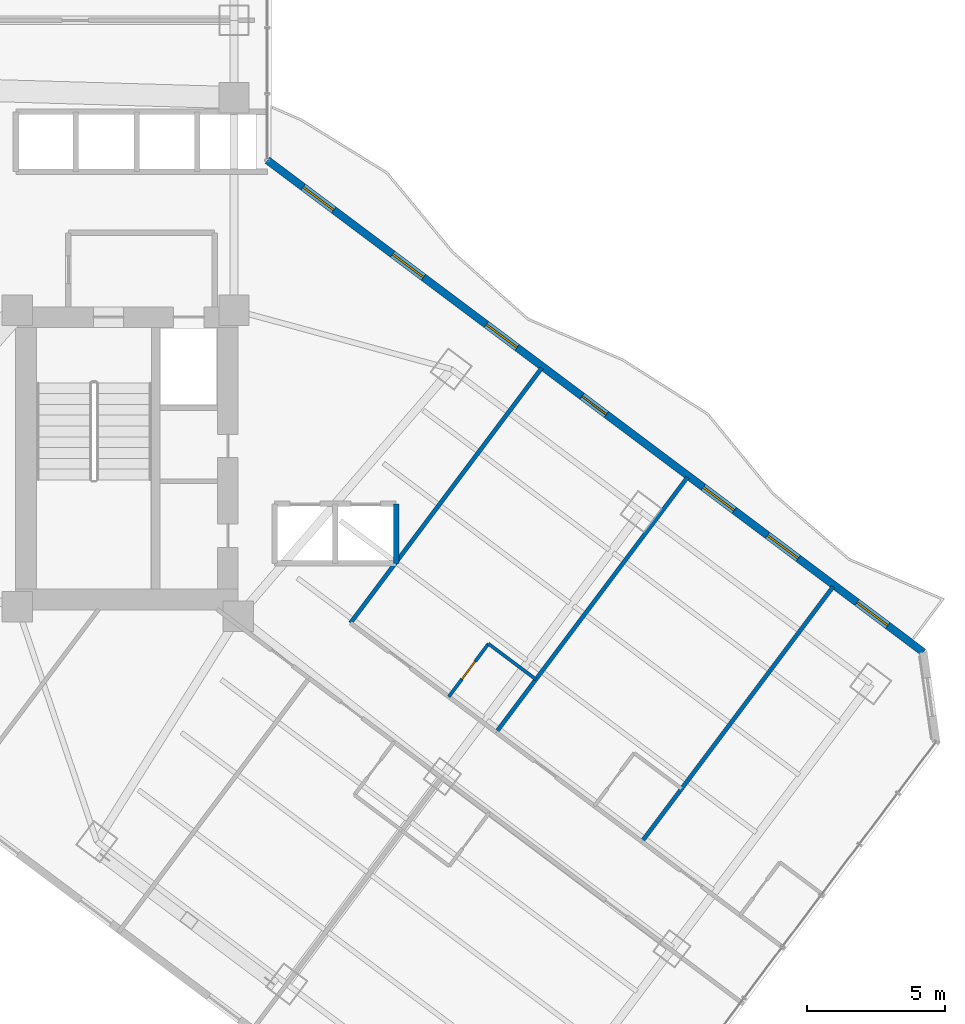
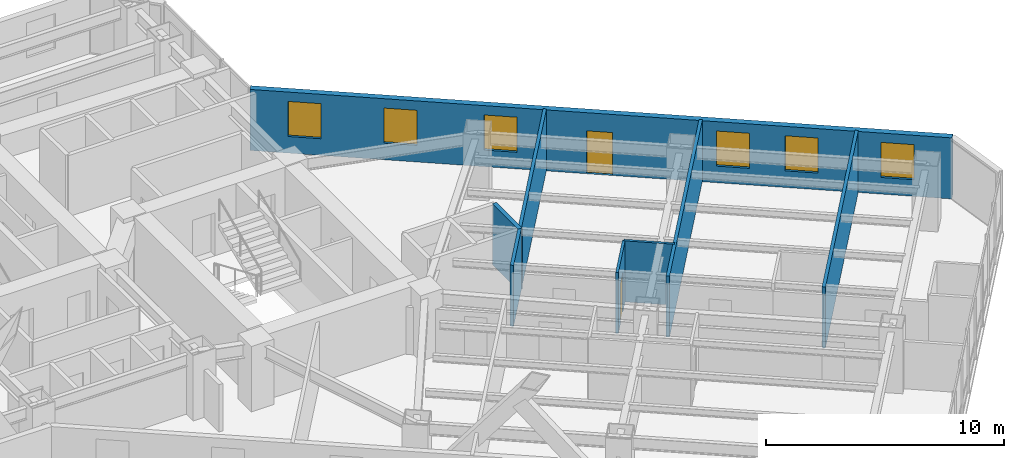
# One storey, part 25 of 33: 7 walls, 6 windows, 2 doors, 8 openings.
"""IFC4 building model written with IfcOpenShell, lengths in metres."""

import ifcopenshell
import ifcopenshell.guid

model = None  # the IFC model being written
_history = None  # IfcOwnerHistory: only IFC2X3 demands one
_inside = {}  # id of a spatial element -> (the spatial element, [elements in it])
_under = {}  # id of a project, library or spatial element -> (it, [spatial elements below it])
_declared = {}  # id of a project -> (the project, [libraries it declares])
_typed = {}  # id of a type object -> (the type object, [elements of that type])
_made_of = {}  # id of a material, layer set ... -> (it, [elements and type objects made of it])


def new_model(schema):
    """Start an empty IFC model of exactly this schema.

    Asked for "IFC4X3", IfcOpenShell would pick the latest addendum, in which some entities
    have other attributes; the version numbers below select the first issue.
    IFC2X3 requires an IfcOwnerHistory on every rooted entity: one is made here for all.
    """
    global model, _history
    if schema == "IFC4X3":
        model = ifcopenshell.file(schema_version=(4, 3, 0, 0))
    else:
        model = ifcopenshell.file(schema=schema)
    _inside.clear()
    _under.clear()
    _declared.clear()
    _typed.clear()
    _made_of.clear()
    _history = None
    if model.schema == "IFC2X3":
        org = make("IfcOrganization", Name="unknown")
        user = make(
            "IfcPersonAndOrganization",
            ThePerson=make("IfcPerson", FamilyName="unknown"),
            TheOrganization=org,
        )
        app = make(
            "IfcApplication",
            ApplicationDeveloper=org,
            Version="unknown",
            ApplicationFullName="unknown",
            ApplicationIdentifier="unknown",
        )
        _history = make(
            "IfcOwnerHistory",
            OwningUser=user,
            OwningApplication=app,
            ChangeAction="ADDED",
            CreationDate=0,
        )
    return model


def make(cls, **values):
    """One entity of the class cls with the attributes given. An attribute that is None is left unset."""
    return model.create_entity(
        cls, **{name: value for name, value in values.items() if value is not None}
    )


def rooted(cls, **values):
    """An entity with a GlobalId (a new one), such as an element, a storey or a relation."""
    return make(cls, GlobalId=ifcopenshell.guid.new(), OwnerHistory=_history, **values)


def si_unit(unit_type, name, prefix=None):
    """IfcSIUnit, for example si_unit("LENGTHUNIT", "METRE", prefix="MILLI")."""
    return make("IfcSIUnit", UnitType=unit_type, Prefix=prefix, Name=name)


def assignment(units):
    """IfcUnitAssignment: the units of a project."""
    return None if units is None else make("IfcUnitAssignment", Units=units)


def point(xyz):
    """IfcCartesianPoint."""
    return None if xyz is None else make("IfcCartesianPoint", Coordinates=xyz)


def direction(xyz):
    """IfcDirection."""
    return None if xyz is None else make("IfcDirection", DirectionRatios=xyz)


def frame(location, z_axis=None, x_axis=None):
    """IfcAxis2Placement3D, a coordinate frame: its origin and axes. An axis left out is left unset."""
    return make(
        "IfcAxis2Placement3D",
        Location=point(location),
        Axis=direction(z_axis),
        RefDirection=direction(x_axis),
    )


def frame_2d(location, x_axis=None):
    """IfcAxis2Placement2D, a coordinate frame in the plane: its origin and x axis."""
    return make(
        "IfcAxis2Placement2D", Location=point(location), RefDirection=direction(x_axis)
    )


def origin():
    """The frame at (0, 0, 0) with its axes left unset."""
    return frame((0.0, 0.0, 0.0))


def place(relative_to, where):
    """IfcLocalPlacement: puts the frame where relative to a parent placement (None: the world)."""
    return make(
        "IfcLocalPlacement", PlacementRelTo=relative_to, RelativePlacement=where
    )


def context(
    kind, dimensions, precision=None, world=None, true_north=None, identifier=None
):
    """IfcGeometricRepresentationContext, for example the 3D "Model" context."""
    return make(
        "IfcGeometricRepresentationContext",
        ContextIdentifier=identifier,
        ContextType=kind,
        CoordinateSpaceDimension=dimensions,
        Precision=precision,
        WorldCoordinateSystem=world,
        TrueNorth=true_north,
    )


def subcontext(parent, identifier, kind, view, scale=None):
    """IfcGeometricRepresentationSubContext, for example "Body" below "Model"."""
    return make(
        "IfcGeometricRepresentationSubContext",
        ContextIdentifier=identifier,
        ContextType=kind,
        ParentContext=parent,
        TargetScale=scale,
        TargetView=view,
    )


def project(units=None, contexts=None):
    """IfcProject with its units and contexts."""
    return rooted(
        "IfcProject",
        Name="project",
        RepresentationContexts=contexts,
        UnitsInContext=assignment(units),
    )


def spatial(cls, under=None, at=None, **own):
    """A site, building, storey or space (cls), placed at a placement, below another one or the project."""
    s = rooted(cls, ObjectPlacement=at, **own)
    if under is not None:
        _under.setdefault(under.id(), (under, []))[1].append(s)
    return s


def profile(cls, at=None, kind="AREA", **sizes):
    """A parametric profile (cls). Its sizes go by their IFC names, for example OverallWidth=200.0."""
    return make(cls, ProfileType=kind, Position=at, **sizes)


def rectangle(**sizes):
    """IfcRectangleProfileDef."""
    return profile("IfcRectangleProfileDef", **sizes)


def extrude(swept, where, along, depth):
    """IfcExtrudedAreaSolid: the profile swept, set in the frame where, extruded along a direction by depth."""
    return make(
        "IfcExtrudedAreaSolid",
        SweptArea=swept,
        Position=where,
        ExtrudedDirection=direction(along),
        Depth=depth,
    )


def shape(context_of_items, identifier, shape_type, items):
    """IfcShapeRepresentation: the items that make up one representation, for example the "Body"."""
    return make(
        "IfcShapeRepresentation",
        ContextOfItems=context_of_items,
        RepresentationIdentifier=identifier,
        RepresentationType=shape_type,
        Items=items,
    )


def material(Name=None, Category=None):
    """IfcMaterial."""
    return make("IfcMaterial", Name=Name, Category=Category)


def layer(
    of_material, thickness, ventilated=None, Name=None, Category=None, Priority=None
):
    """IfcMaterialLayer: one layer of a wall or slab, of a material (None: an air gap)."""
    return make(
        "IfcMaterialLayer",
        Material=of_material,
        LayerThickness=thickness,
        IsVentilated=ventilated,
        Name=Name,
        Category=Category,
        Priority=Priority,
    )


def layer_set(layers, Name=None):
    """IfcMaterialLayerSet."""
    return make("IfcMaterialLayerSet", MaterialLayers=layers, LayerSetName=Name)


def made_of(thing, what):
    """Note that an element or type object is made of a material, layer set ...; save() writes the relation."""
    if what is not None:
        _made_of.setdefault(what.id(), (what, []))[1].append(thing)
    return thing


def type_object(cls, material=None, **own):
    """A type object (cls), such as IfcWallType, which elements share."""
    return made_of(rooted(cls, **own), material)


def element(
    cls,
    number,
    at=None,
    inside=None,
    cuts=None,
    type_object=None,
    material=None,
    context=None,
    identifier="Body",
    shape_type=None,
    held_by="IfcProductDefinitionShape",
    body=None,
    shapes=None,
    **own,
):
    """One element of the class cls, such as IfcWall. Its Tag is "e" and its number.

    at: its placement. inside: the storey or other place that contains it. cuts: it is an
    opening in that element (IfcRelVoidsElement). A single representation is given by context,
    identifier, shape_type and body (its items); several are given by shapes. held_by: the class
    of the entity that holds the representations. save() writes the other relations.
    """
    e = rooted(cls, Tag="e%d" % number, ObjectPlacement=at, **own)
    if body is not None:
        shapes = [shape(context, identifier, shape_type, body)]
    if shapes is not None:
        e.Representation = make(held_by, Representations=shapes)
    if inside is not None:
        _inside.setdefault(inside.id(), (inside, []))[1].append(e)
    if cuts is not None:
        rooted(
            "IfcRelVoidsElement", RelatingBuildingElement=cuts, RelatedOpeningElement=e
        )
    if type_object is not None:
        _typed.setdefault(type_object.id(), (type_object, []))[1].append(e)
    return made_of(e, material)


def fill(opening, filler):
    """IfcRelFillsElement: the door or window that sits in an opening."""
    return rooted(
        "IfcRelFillsElement",
        RelatingOpeningElement=opening,
        RelatedBuildingElement=filler,
    )


def aggregate(whole, parts):
    """IfcRelAggregates: a whole, such as a stair, and the parts it consists of."""
    return rooted("IfcRelAggregates", RelatingObject=whole, RelatedObjects=parts)


def save(model, path):
    """Write the relations noted so far, then the file.

    IfcRelAggregates (storeys below a building ...), IfcRelContainedInSpatialStructure (elements
    in a storey), IfcRelDefinesByType, IfcRelAssociatesMaterial and IfcRelDeclares: one each for
    every whole, place, type object, material and project.
    """
    for whole, parts in _under.values():
        aggregate(whole, parts)
    for where, things in _inside.values():
        rooted(
            "IfcRelContainedInSpatialStructure",
            RelatedElements=things,
            RelatingStructure=where,
        )
    for kind, things in _typed.values():
        rooted("IfcRelDefinesByType", RelatedObjects=things, RelatingType=kind)
    for what, things in _made_of.values():
        rooted("IfcRelAssociatesMaterial", RelatedObjects=things, RelatingMaterial=what)
    for by, libraries in _declared.values():
        rooted("IfcRelDeclares", RelatingContext=by, RelatedDefinitions=libraries)
    model.write(path)


model = new_model("IFC4")

# Units and contexts
model_context = context("Model", 3, precision=1e-05, world=origin(), true_north=direction((0.0, 1.0)))
body_context = subcontext(model_context, "Body", "Model", "MODEL_VIEW")
ifc_project = project(units=[si_unit("LENGTHUNIT", "METRE"), si_unit("AREAUNIT", "SQUARE_METRE"), si_unit("VOLUMEUNIT", "CUBIC_METRE"), si_unit("PLANEANGLEUNIT", "RADIAN"), si_unit("MASSUNIT", "GRAM", prefix="KILO")], contexts=[model_context])

# Site, building, storey
site_placement = place(None, origin())
site = spatial("IfcSite", under=ifc_project, at=site_placement, CompositionType="ELEMENT")
building_placement = place(site_placement, origin())
building = spatial("IfcBuilding", under=site, at=building_placement, Name="Hatsunagi Terrace Concourse", CompositionType="ELEMENT")
storey_placement = place(building_placement, frame((0.0, 0.0, 53.35009765625)))
storey = spatial("IfcBuildingStorey", under=building, at=storey_placement, Name="L13", CompositionType="ELEMENT", Elevation=53.35009765625)

# Wall, opening, door
ifc_material_1 = material(Name="Acoustic mineral board", Category="gypsum")
ifc_layer_1 = layer(ifc_material_1, 0.1201171875)
ifc_layer_set_1 = layer_set([ifc_layer_1], Name="PartitionWall_EI30_120")
wall_type_1 = type_object("IfcWallType", Name="PartitionWall_EI30_120", PredefinedType="PARTITIONING", material=ifc_layer_set_1)
wall_1_placement = place(storey_placement, frame((51.429931640625, 21.2900390625, 0.0), z_axis=(0.0, 0.0, 1.0), x_axis=(0.600065100855, 0.79995117022, 0.0)))
wall_1 = element("IfcWall", 1, at=wall_1_placement, inside=storey, type_object=wall_type_1, Name="Interior Partition IW-L13-069", PredefinedType="PARTITIONING", context=body_context, shape_type="SweptSolid", body=[
    extrude(rectangle(XDim=2.400146484375, YDim=0.1201171875, at=frame_2d((1.2001953125, 0.0))), origin(), (0.0, 0.0, 1.0), 3.1298828125),
])
opening_1_placement = place(wall_1_placement, frame((0.800048828125, 0.0, 0.0)))
opening_1 = element("IfcOpeningElement", 2, at=opening_1_placement, cuts=wall_1, Name="Opening DR-080", PredefinedType="OPENING", context=body_context, shape_type="SweptSolid", body=[
    extrude(rectangle(XDim=0.800048828125, YDim=2.06005859375, at=frame_2d((0.39990234375, 1.030029296875))), frame((0.0, 0.070068359375, 0.0), z_axis=(0.0, -1.0, 0.0), x_axis=(1.0, 0.0, 0.0)), (0.0, 0.0, 1.0), 0.14013671875),
])
ifc_material_2 = material(Name="Hardwood timber", Category="wood")
door_type_1 = type_object("IfcDoorType", Name="BathroomDoor_800", OperationType="NOTDEFINED", PredefinedType="DOOR", material=ifc_material_2)
door_1_placement = place(opening_1_placement, origin())
door_1 = element("IfcDoor", 3, at=door_1_placement, inside=storey, type_object=door_type_1, Name="En-Suite Bathroom L13-SENE1 Door", OperationType="SINGLE_SWING_LEFT", OverallHeight=2.06005859375, OverallWidth=0.800048828125, PredefinedType="DOOR", context=body_context, shape_type="SweptSolid", body=[
    extrude(rectangle(XDim=0.800048828125, YDim=2.06005859375, at=frame_2d((0.39990234375, 1.030029296875))), frame((0.0, 0.02490234375, 0.0), z_axis=(0.0, -1.0, 0.0), x_axis=(1.0, 0.0, 0.0)), (0.0, 0.0, 1.0), 0.050048828125),
])
fill(opening_1, door_1)

# Walls
wall_2_placement = place(storey_placement, frame((52.8701171875, 23.2099609375, 0.0), z_axis=(0.0, 0.0, 1.0), x_axis=(0.79998637334, -0.60001816845, 0.0)))
element("IfcWall", 4, at=wall_2_placement, inside=storey, type_object=wall_type_1, Name="Interior Partition IW-L13-070", PredefinedType="PARTITIONING", context=body_context, shape_type="SweptSolid", body=[
    extrude(rectangle(XDim=2.14990234375, YDim=0.1201171875, at=frame_2d((1.074951171875, 0.0))), origin(), (0.0, 0.0, 1.0), 3.1298828125),
])
ifc_material_3 = material(Name="Acoustic mineral board", Category="gypsum")
ifc_layer_2 = layer(ifc_material_3, 0.14990234375)
ifc_layer_set_2 = layer_set([ifc_layer_2], Name="PartitionWall_EI60_150")
wall_type_2 = type_object("IfcWallType", Name="PartitionWall_EI60_150", PredefinedType="PARTITIONING", material=ifc_layer_set_2)
for number, where, z_axis, x_axis, name in (
    (5, (47.8701171875, 23.9599609375, 0.0), (0.0, 0.0, 1.0), (0.599996617946, 0.80000253653, 0.0), "Interior Partition IW-L13-071"),
    (6, (53.14990234375, 20.0, 0.0), (0.0, 0.0, 1.0), (0.60001014597, 0.799992390422, 0.0), "Interior Partition IW-L13-072"),
    (7, (58.429931640625, 16.0400390625, 0.0), (0.0, 0.0, 1.0), (0.60001014597, 0.799992390422, 0.0), "Interior Partition IW-L13-077"),
):
    element("IfcWall", number, at=place(storey_placement, frame(where, z_axis=z_axis, x_axis=x_axis)), inside=storey, type_object=wall_type_2, Name=name, PredefinedType="PARTITIONING", context=body_context, shape_type="SweptSolid", body=[
        extrude(rectangle(XDim=11.550048828125, YDim=0.14990234375, at=frame_2d((5.77490234375, 0.0))), origin(), (0.0, 0.0, 1.0), 3.1298828125),
    ])
ifc_material_4 = material(Name="Acoustic mineral board", Category="gypsum")
ifc_layer_3 = layer(ifc_material_4, 0.199951171875)
ifc_layer_set_3 = layer_set([ifc_layer_3], Name="ShaftWall_EI120_200")
wall_type_3 = type_object("IfcWallType", Name="ShaftWall_EI120_200", PredefinedType="STANDARD", material=ifc_layer_set_3)
wall_3_placement = place(storey_placement, frame((49.52001953125, 26.1201171875, 0.0), z_axis=(0.0, 0.0, 1.0), x_axis=(0.0, 1.0, 0.0)))
element("IfcWall", 8, at=wall_3_placement, inside=storey, type_object=wall_type_3, Name="Interior Partition IW-L13-027", PredefinedType="STANDARD", context=body_context, shape_type="SweptSolid", body=[
    extrude(rectangle(XDim=2.159912109375, YDim=0.199951171875, at=frame_2d((1.080078125, 0.0))), origin(), (0.0, 0.0, 1.0), 3.1298828125),
])

# Wall, openings, door, windows
ifc_material_5 = material(Name="Autoclaved Lightweight Concrete and Terracotta Cladding", Category="masonry")
ifc_layer_4 = layer(ifc_material_5, 0.280029296875)
ifc_layer_set_4 = layer_set([ifc_layer_4], Name="TerracottaSpandrelWall_280")
wall_type_4 = type_object("IfcWallType", Name="TerracottaSpandrelWall_280", PredefinedType="STANDARD", material=ifc_layer_set_4)
wall_4_placement = place(storey_placement, frame((44.860107421875, 40.72998046875, 0.0), z_axis=(0.0, 0.0, 1.0), x_axis=(0.800006902154, -0.599990797017, 0.0)))
wall_4 = element("IfcWall", 9, at=wall_4_placement, inside=storey, type_object=wall_type_4, Name="Exterior Spandrel Wall EW-L13-01", PredefinedType="STANDARD", context=body_context, shape_type="SweptSolid", body=[
    extrude(rectangle(XDim=29.7119140625, YDim=0.280029296875, at=frame_2d((14.85595703125, 0.0))), origin(), (0.0, 0.0, 1.0), 3.1298828125),
])
opening_2_placement = place(wall_4_placement, frame((14.2490234375, 0.0, 0.0)))
opening_2 = element("IfcOpeningElement", 10, at=opening_2_placement, cuts=wall_4, Name="Opening BD-01", PredefinedType="OPENING", context=body_context, shape_type="SweptSolid", body=[
    extrude(rectangle(XDim=1.10009765625, YDim=2.199951171875, at=frame_2d((0.550048828125, 1.10009765625))), frame((0.0, 0.14990234375, 0.0), z_axis=(0.0, -1.0, 0.0), x_axis=(1.0, 0.0, 0.0)), (0.0, 0.0, 1.0), 0.300048828125),
])
opening_3_placement = place(wall_4_placement, frame((1.612060546875, 0.0, 0.85009765625)))
opening_3 = element("IfcOpeningElement", 11, at=opening_3_placement, cuts=wall_4, Name="Opening WIN-02", PredefinedType="OPENING", context=body_context, shape_type="SweptSolid", body=[
    extrude(rectangle(XDim=1.39990234375, YDim=1.800048828125, at=frame_2d((0.699951171875, 0.89990234375))), frame((0.0, 0.14990234375, 0.0), z_axis=(0.0, -1.0, 0.0), x_axis=(1.0, 0.0, 0.0)), (0.0, 0.0, 1.0), 0.300048828125),
])
opening_4_placement = place(wall_4_placement, frame((5.6669921875, 0.0, 0.85009765625)))
opening_4 = element("IfcOpeningElement", 12, at=opening_4_placement, cuts=wall_4, Name="Opening WIN-02", PredefinedType="OPENING", context=body_context, shape_type="SweptSolid", body=[
    extrude(rectangle(XDim=1.39990234375, YDim=1.800048828125, at=frame_2d((0.699951171875, 0.89990234375))), frame((0.0, 0.14990234375, 0.0), z_axis=(0.0, -1.0, 0.0), x_axis=(1.0, 0.0, 0.0)), (0.0, 0.0, 1.0), 0.300048828125),
])
opening_5_placement = place(wall_4_placement, frame((9.912109375, 0.0, 0.85009765625)))
opening_5 = element("IfcOpeningElement", 13, at=opening_5_placement, cuts=wall_4, Name="Opening WIN-02", PredefinedType="OPENING", context=body_context, shape_type="SweptSolid", body=[
    extrude(rectangle(XDim=1.39990234375, YDim=1.800048828125, at=frame_2d((0.699951171875, 0.89990234375))), frame((0.0, 0.14990234375, 0.0), z_axis=(0.0, -1.0, 0.0), x_axis=(1.0, 0.0, 0.0)), (0.0, 0.0, 1.0), 0.300048828125),
])
opening_6_placement = place(wall_4_placement, frame((19.742919921875, 0.0, 0.85009765625)))
opening_6 = element("IfcOpeningElement", 14, at=opening_6_placement, cuts=wall_4, Name="Opening WIN-02", PredefinedType="OPENING", context=body_context, shape_type="SweptSolid", body=[
    extrude(rectangle(XDim=1.39990234375, YDim=1.800048828125, at=frame_2d((0.699951171875, 0.89990234375))), frame((0.0, 0.14990234375, 0.0), z_axis=(0.0, -1.0, 0.0), x_axis=(1.0, 0.0, 0.0)), (0.0, 0.0, 1.0), 0.300048828125),
])
opening_7_placement = place(wall_4_placement, frame((22.64501953125, 0.0, 0.85009765625)))
opening_7 = element("IfcOpeningElement", 15, at=opening_7_placement, cuts=wall_4, Name="Opening WIN-02", PredefinedType="OPENING", context=body_context, shape_type="SweptSolid", body=[
    extrude(rectangle(XDim=1.39990234375, YDim=1.800048828125, at=frame_2d((0.699951171875, 0.89990234375))), frame((0.0, 0.14990234375, 0.0), z_axis=(0.0, -1.0, 0.0), x_axis=(1.0, 0.0, 0.0)), (0.0, 0.0, 1.0), 0.300048828125),
])
opening_8_placement = place(wall_4_placement, frame((26.699951171875, 0.0, 0.85009765625)))
opening_8 = element("IfcOpeningElement", 16, at=opening_8_placement, cuts=wall_4, Name="Opening WIN-02", PredefinedType="OPENING", context=body_context, shape_type="SweptSolid", body=[
    extrude(rectangle(XDim=1.39990234375, YDim=1.800048828125, at=frame_2d((0.699951171875, 0.89990234375))), frame((0.0, 0.14990234375, 0.0), z_axis=(0.0, -1.0, 0.0), x_axis=(1.0, 0.0, 0.0)), (0.0, 0.0, 1.0), 0.300048828125),
])
ifc_material_6 = material(Name="Galvanised Steel and Laminated Safety Glass", Category="steel")
door_type_2 = type_object("IfcDoorType", Name="BalconyTerraceAccessDoor_1100x2200", OperationType="SINGLE_SWING_LEFT", PredefinedType="DOOR", material=ifc_material_6)
door_2_placement = place(opening_2_placement, origin())
door_2 = element("IfcDoor", 17, at=door_2_placement, inside=storey, type_object=door_type_2, Name="Engawa Balcony Door L13-BSE", OperationType="SINGLE_SWING_LEFT", OverallHeight=2.199951171875, OverallWidth=1.10009765625, PredefinedType="DOOR", context=body_context, shape_type="SweptSolid", body=[
    extrude(rectangle(XDim=1.10009765625, YDim=2.199951171875, at=frame_2d((0.550048828125, 1.10009765625))), frame((0.0, 0.02490234375, 0.0), z_axis=(0.0, -1.0, 0.0), x_axis=(1.0, 0.0, 0.0)), (0.0, 0.0, 1.0), 0.050048828125),
])
fill(opening_2, door_2)
ifc_material_7 = material(Name="Thermally Broken Aluminium and Low-E Triple Glazing", Category="aluminium")
window_type = type_object("IfcWindowType", Name="HotelOperableVentWindow_1400x1800", PartitioningType="DOUBLE_PANEL_VERTICAL", PredefinedType="WINDOW", material=ifc_material_7)
window_1_placement = place(opening_3_placement, origin())
window_1 = element("IfcWindow", 18, at=window_1_placement, inside=storey, type_object=window_type, Name="Balcony Daylighting Window L13-01-1", OverallHeight=1.800048828125, OverallWidth=1.39990234375, PartitioningType="SINGLE_PANEL", PredefinedType="WINDOW", context=body_context, shape_type="SweptSolid", body=[
    extrude(rectangle(XDim=1.39990234375, YDim=1.800048828125, at=frame_2d((0.699951171875, 0.89990234375))), frame((0.0, 0.030029296875, 0.0), z_axis=(0.0, -1.0, 0.0), x_axis=(1.0, 0.0, 0.0)), (0.0, 0.0, 1.0), 0.06005859375),
])
fill(opening_3, window_1)
window_2_placement = place(opening_4_placement, origin())
window_2 = element("IfcWindow", 19, at=window_2_placement, inside=storey, type_object=window_type, Name="Balcony Daylighting Window L13-01-2", OverallHeight=1.800048828125, OverallWidth=1.39990234375, PartitioningType="SINGLE_PANEL", PredefinedType="WINDOW", context=body_context, shape_type="SweptSolid", body=[
    extrude(rectangle(XDim=1.39990234375, YDim=1.800048828125, at=frame_2d((0.699951171875, 0.89990234375))), frame((0.0, 0.030029296875, 0.0), z_axis=(0.0, -1.0, 0.0), x_axis=(1.0, 0.0, 0.0)), (0.0, 0.0, 1.0), 0.06005859375),
])
fill(opening_4, window_2)
window_3_placement = place(opening_5_placement, origin())
window_3 = element("IfcWindow", 20, at=window_3_placement, inside=storey, type_object=window_type, Name="Balcony Daylighting Window L13-01-3", OverallHeight=1.800048828125, OverallWidth=1.39990234375, PartitioningType="SINGLE_PANEL", PredefinedType="WINDOW", context=body_context, shape_type="SweptSolid", body=[
    extrude(rectangle(XDim=1.39990234375, YDim=1.800048828125, at=frame_2d((0.699951171875, 0.89990234375))), frame((0.0, 0.030029296875, 0.0), z_axis=(0.0, -1.0, 0.0), x_axis=(1.0, 0.0, 0.0)), (0.0, 0.0, 1.0), 0.06005859375),
])
fill(opening_5, window_3)
window_4_placement = place(opening_6_placement, origin())
window_4 = element("IfcWindow", 21, at=window_4_placement, inside=storey, type_object=window_type, Name="Balcony Daylighting Window L13-01-5", OverallHeight=1.800048828125, OverallWidth=1.39990234375, PartitioningType="SINGLE_PANEL", PredefinedType="WINDOW", context=body_context, shape_type="SweptSolid", body=[
    extrude(rectangle(XDim=1.39990234375, YDim=1.800048828125, at=frame_2d((0.699951171875, 0.89990234375))), frame((0.0, 0.030029296875, 0.0), z_axis=(0.0, -1.0, 0.0), x_axis=(1.0, 0.0, 0.0)), (0.0, 0.0, 1.0), 0.06005859375),
])
fill(opening_6, window_4)
window_5_placement = place(opening_7_placement, origin())
window_5 = element("IfcWindow", 22, at=window_5_placement, inside=storey, type_object=window_type, Name="Balcony Daylighting Window L13-01-6", OverallHeight=1.800048828125, OverallWidth=1.39990234375, PartitioningType="SINGLE_PANEL", PredefinedType="WINDOW", context=body_context, shape_type="SweptSolid", body=[
    extrude(rectangle(XDim=1.39990234375, YDim=1.800048828125, at=frame_2d((0.699951171875, 0.89990234375))), frame((0.0, 0.030029296875, 0.0), z_axis=(0.0, -1.0, 0.0), x_axis=(1.0, 0.0, 0.0)), (0.0, 0.0, 1.0), 0.06005859375),
])
fill(opening_7, window_5)
window_6_placement = place(opening_8_placement, origin())
window_6 = element("IfcWindow", 23, at=window_6_placement, inside=storey, type_object=window_type, Name="Balcony Daylighting Window L13-01-7", OverallHeight=1.800048828125, OverallWidth=1.39990234375, PartitioningType="SINGLE_PANEL", PredefinedType="WINDOW", context=body_context, shape_type="SweptSolid", body=[
    extrude(rectangle(XDim=1.39990234375, YDim=1.800048828125, at=frame_2d((0.699951171875, 0.89990234375))), frame((0.0, 0.030029296875, 0.0), z_axis=(0.0, -1.0, 0.0), x_axis=(1.0, 0.0, 0.0)), (0.0, 0.0, 1.0), 0.06005859375),
])
fill(opening_8, window_6)

save(model, "model.ifc")
